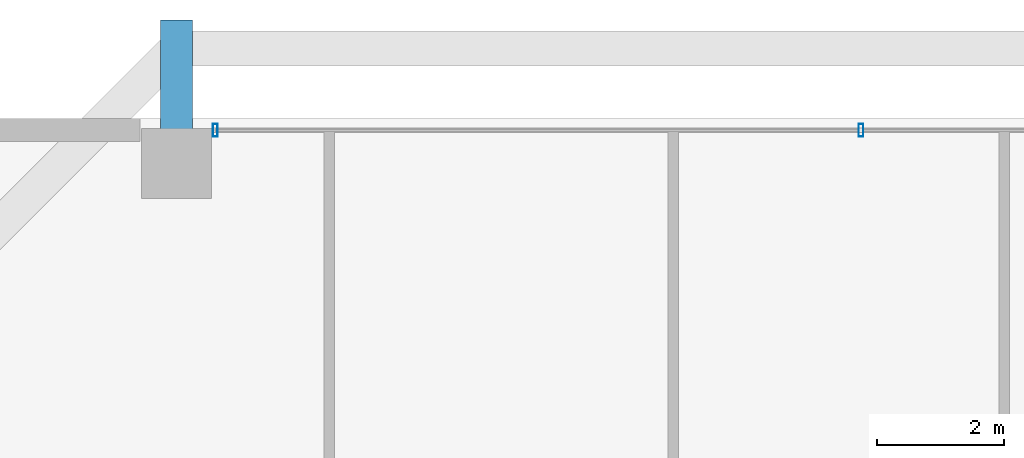
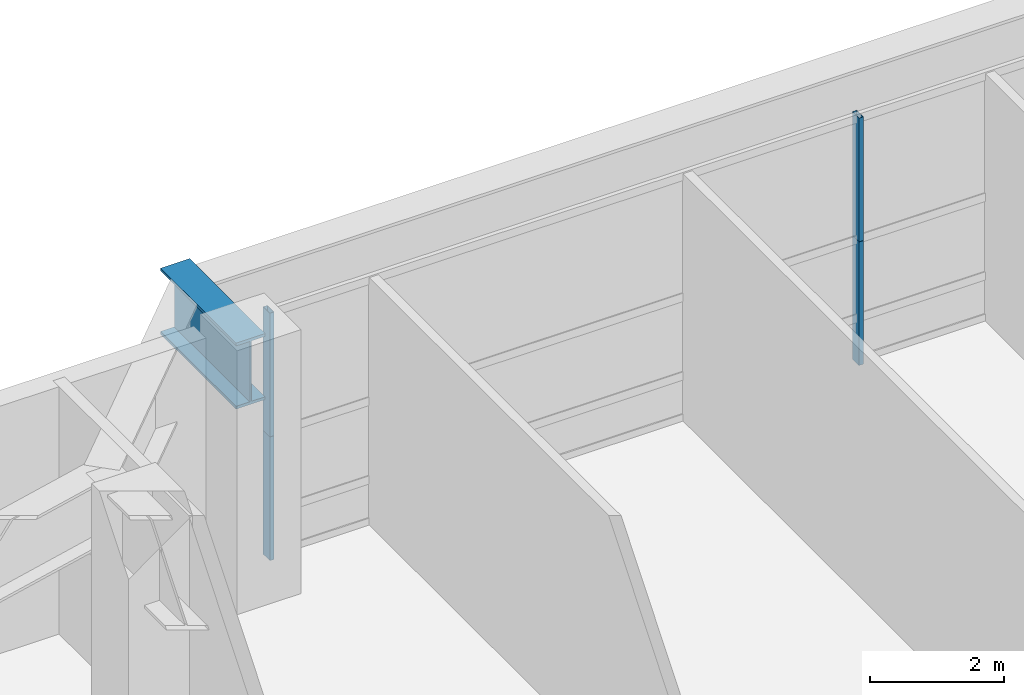
# One storey, part 19 of 34: 4 members, 1 beam, 1 element without a shape of its own.
"""IFC4 building model written with IfcOpenShell, lengths in metres."""

from ifc_helpers import new_model, si_unit, direction, frame, origin, origin_2d, place, context, subcontext, project, spatial, hollow_rectangle, i_section, extrude, source, transform, mapped, material, layer, layer_set, material_profile, profile_set, type_object, element, aggregate, save


model = new_model("IFC4")

# Units and contexts
model_context = context("Model", 3, precision=1e-05, world=origin(), true_north=direction((0.0, 1.0)))
body_context = subcontext(model_context, "Body", "Model", "MODEL_VIEW")
ifc_project = project(units=[si_unit("LENGTHUNIT", "METRE"), si_unit("AREAUNIT", "SQUARE_METRE"), si_unit("VOLUMEUNIT", "CUBIC_METRE"), si_unit("PLANEANGLEUNIT", "RADIAN"), si_unit("MASSUNIT", "GRAM", prefix="KILO"), si_unit("THERMODYNAMICTEMPERATUREUNIT", "KELVIN"), si_unit("POWERUNIT", "WATT")], contexts=[model_context])

# Site, building, storey
site_placement = place(None, origin())
site = spatial("IfcSite", under=ifc_project, at=site_placement, CompositionType="ELEMENT")
building_placement = place(site_placement, origin())
building = spatial("IfcBuilding", under=site, at=building_placement, Name="Yuzanri Waterfront Tower", CompositionType="ELEMENT")
storey_placement = place(building_placement, frame((0.0, 0.0, 25.800048828125)))
storey = spatial("IfcBuildingStorey", under=building, at=storey_placement, Name="L06", CompositionType="ELEMENT", Elevation=25.800048828125)

# Beam
ifc_material_1 = material(Name="Steel Q420GJC", Category="steel")
ifc_material_profile_1 = material_profile(ifc_material_1, i_section(OverallWidth=0.5, OverallDepth=1.199951171875, WebThickness=0.028076171875, FlangeThickness=0.050048828125, at=origin_2d()), Name="PG 1200x500x28x50")
ifc_profile_set_1 = profile_set([ifc_material_profile_1], Name="Steel Q420GJC")
beam_type = type_object("IfcBeamType", Name="Setback Transfer Girder Q420GJC PG 1200x500", PredefinedType="USERDEFINED", material=ifc_profile_set_1)
shared_shape_1 = source(origin(), body_context, "Body", "SweptSolid", [
    extrude(i_section(OverallWidth=0.5, OverallDepth=1.199951171875, WebThickness=0.028076171875, FlangeThickness=0.050048828125, at=origin_2d()), origin(), (0.0, 0.0, 1.0), 2.25),
])
beam_placement = place(storey_placement, frame((15.5, 51.35009765625, 3.89990234375), z_axis=(0.0, -1.0, 0.0), x_axis=(1.0, 0.0, 0.0)))
element("IfcBeam", 1, at=beam_placement, inside=storey, type_object=beam_type, Name="L06 Tower Base Tie N1", ObjectType="GIRDER", PredefinedType="USERDEFINED", context=body_context, shape_type="MappedRepresentation", body=[
    mapped(shared_shape_1, transform((0.0, 0.0, 0.0), scale=1.0)),
])

# Curtain wall, members
ifc_material_2 = material(Name="Anodized Architectural Bronze", Category="metal")
ifc_layer = layer(ifc_material_2, 0.159912109375)
ifc_layer_set = layer_set([ifc_layer], Name="Anodized Architectural Bronze")
curtain_wall_type = type_object("IfcCurtainWallType", Name="Anodized Bronze Podium Waterfront Double-Height Unitized Curtain Wall 8400", PredefinedType="NOTDEFINED", material=ifc_layer_set)
curtain_wall_placement = place(storey_placement, origin())
curtain_wall = element("IfcCurtainWall", 2, at=curtain_wall_placement, inside=storey, type_object=curtain_wall_type, Name="L06 Curtain Wall CW-L06-N1", PredefinedType="NOTDEFINED")
ifc_material_3 = material(Name="Anodized Architectural Bronze", Category="metal")
ifc_material_profile_2 = material_profile(ifc_material_3, hollow_rectangle(XDim=0.074951171875, YDim=0.199951171875, WallThickness=0.00390625, at=origin_2d()), Name="CWM 75x200")
ifc_profile_set_2 = profile_set([ifc_material_profile_2], Name="Anodized Architectural Bronze")
member_type = type_object("IfcMemberType", Name="Anodized Bronze Primary Curtain-Wall Mullion 75x200", PredefinedType="MULLION", material=ifc_profile_set_2)
shared_shape_2 = source(origin(), body_context, "Body", "SweptSolid", [
    extrude(hollow_rectangle(XDim=0.074951171875, YDim=0.199951171875, WallThickness=0.00390625, at=origin_2d()), origin(), (0.0, 0.0, 1.0), 2.248046875),
])
member_1_placement = place(storey_placement, frame((16.110107421875, 49.6201171875, 0.0), z_axis=(0.0, 0.0, 1.0), x_axis=(1.0, 0.0, 0.0)))
member_1 = element("IfcMember", 3, at=member_1_placement, type_object=member_type, Name="CW-L06-N1 Lower Mullion 00", PredefinedType="MULLION", context=body_context, shape_type="MappedRepresentation", body=[
    mapped(shared_shape_2, transform((0.0, 0.0, 0.0), scale=1.0)),
])
member_2_placement = place(storey_placement, frame((16.110107421875, 49.6201171875, 2.251953125), z_axis=(0.0, 0.0, 1.0), x_axis=(1.0, 0.0, 0.0)))
member_2 = element("IfcMember", 4, at=member_2_placement, type_object=member_type, Name="CW-L06-N1 Upper Mullion 00", PredefinedType="MULLION", context=body_context, shape_type="MappedRepresentation", body=[
    mapped(shared_shape_2, transform((0.0, 0.0, 0.0), scale=1.0)),
])
member_3_placement = place(storey_placement, frame((26.25, 49.6201171875, 0.0), z_axis=(0.0, 0.0, 1.0), x_axis=(1.0, 0.0, 0.0)))
member_3 = element("IfcMember", 5, at=member_3_placement, type_object=member_type, Name="CW-L06-N1 Lower Mullion 01", PredefinedType="MULLION", context=body_context, shape_type="MappedRepresentation", body=[
    mapped(shared_shape_2, transform((0.0, 0.0, 0.0), scale=1.0)),
])
member_4_placement = place(storey_placement, frame((26.25, 49.6201171875, 2.251953125), z_axis=(0.0, 0.0, 1.0), x_axis=(1.0, 0.0, 0.0)))
member_4 = element("IfcMember", 6, at=member_4_placement, type_object=member_type, Name="CW-L06-N1 Upper Mullion 01", PredefinedType="MULLION", context=body_context, shape_type="MappedRepresentation", body=[
    mapped(shared_shape_2, transform((0.0, 0.0, 0.0), scale=1.0)),
])
aggregate(curtain_wall, [member_1, member_2, member_3, member_4])

save(model, "model.ifc")
